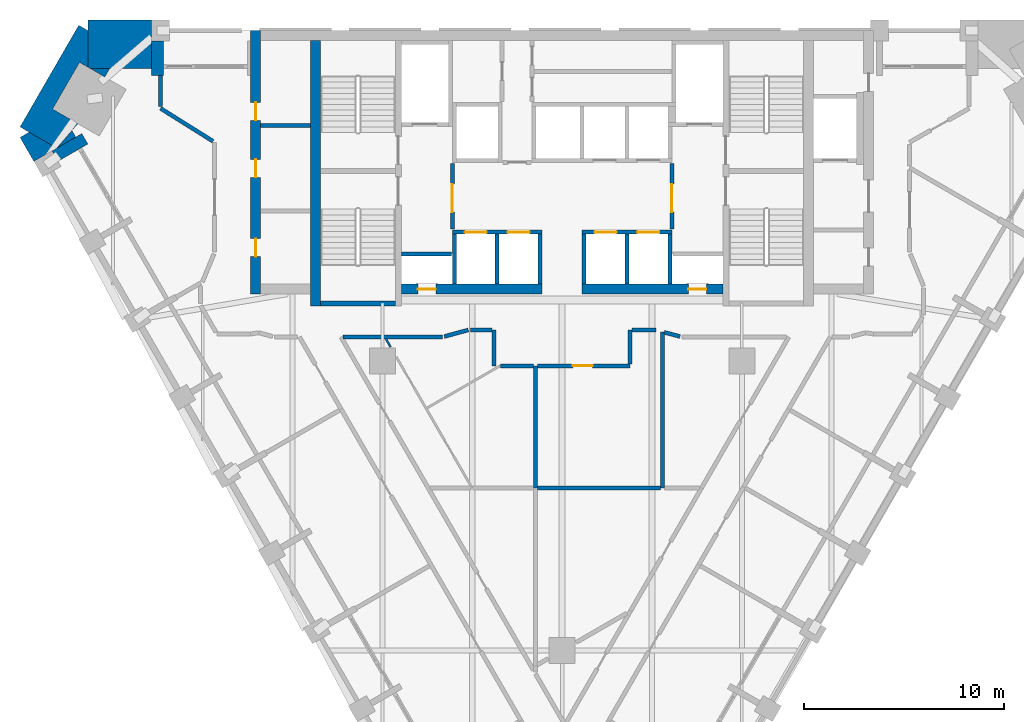
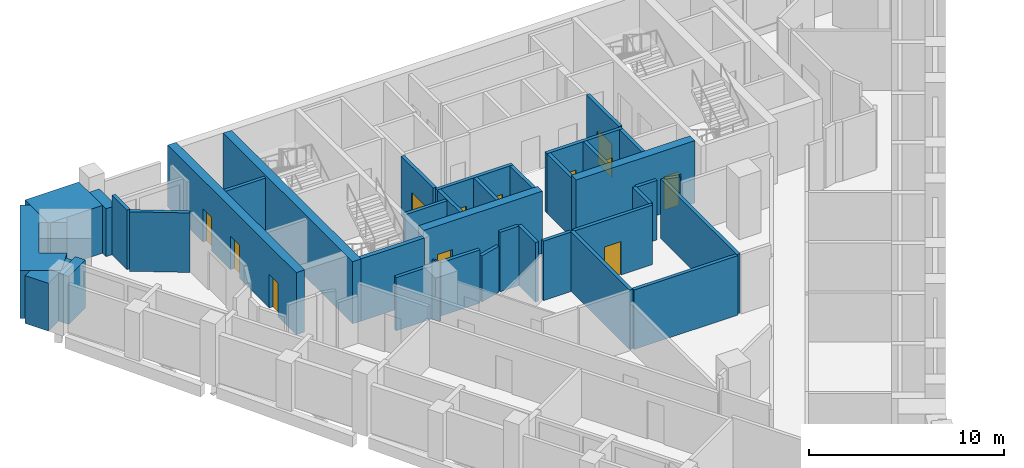
# One storey, part 5 of 10: 39 walls, 12 doors, 12 openings.
"""IFC4 building model written with IfcOpenShell, lengths in metres."""

from ifc_helpers import new_model, si_unit, direction, frame, frame_2d, origin, place, context, subcontext, project, spatial, polyline, rectangle, outline, extrude, material, layer, layer_set, type_object, element, fill, save


model = new_model("IFC4")

# Units and contexts
model_context = context("Model", 3, precision=1e-05, world=origin(), true_north=direction((0.0, 1.0)))
body_context = subcontext(model_context, "Body", "Model", "MODEL_VIEW")
ifc_project = project(units=[si_unit("LENGTHUNIT", "METRE"), si_unit("AREAUNIT", "SQUARE_METRE"), si_unit("VOLUMEUNIT", "CUBIC_METRE"), si_unit("PLANEANGLEUNIT", "RADIAN"), si_unit("MASSUNIT", "GRAM", prefix="KILO")], contexts=[model_context])

# Site, building, storey
site_placement = place(None, origin())
site = spatial("IfcSite", under=ifc_project, at=site_placement, CompositionType="ELEMENT")
building_placement = place(site_placement, origin())
building = spatial("IfcBuilding", under=site, at=building_placement, Name="Calabash Gate Tower", CompositionType="ELEMENT")
storey_placement = place(building_placement, frame((0.0, 0.0, 164.10009765625)))
storey = spatial("IfcBuildingStorey", under=building, at=storey_placement, Name="L38", CompositionType="ELEMENT", Elevation=164.10009765625)

# Walls
ifc_material_1 = material(Name="Terracotta brick masonry, exposed face", Category="masonry")
ifc_layer_1 = layer(ifc_material_1, 2.425048828125)
ifc_layer_set_1 = layer_set([ifc_layer_1], Name="Brick corner mass wall 2425")
wall_type_1 = type_object("IfcWallType", Name="Brick corner mass wall 2425", PredefinedType="SOLIDWALL", material=ifc_layer_set_1)
wall_1_placement = place(storey_placement, origin())
element("IfcWall", 1, at=wall_1_placement, inside=storey, type_object=wall_type_1, Name="Brick corner pier S10 4a", PredefinedType="SOLIDWALL", context=body_context, shape_type="SweptSolid", body=[
    extrude(outline(polyline([(-23.645751953125, 17.152587890625), (-20.5625, 17.152587890625), (-20.5625, 18.528076171875), (-20.56298828125, 18.528076171875), (-20.56298828125, 19.57763671875), (-23.755615234375, 19.57763671875), (-23.755615234375, 17.216064453125), (-23.645751953125, 17.152587890625)])), origin(), (0.0, 0.0, 1.0), 3.0),
])
wall_2_placement = place(storey_placement, origin())
element("IfcWall", 2, at=wall_2_placement, inside=storey, type_object=wall_type_1, Name="Brick corner pier S10 4ba", PredefinedType="SOLIDWALL", context=body_context, shape_type="SweptSolid", body=[
    extrude(outline(polyline([(-24.25537109375, 14.386962890625), (-25.51806640625, 15.115966796875), (-24.168212890625, 17.4541015625), (-23.755615234375, 17.216064453125), (-23.755615234375, 19.052490234375), (-24.210205078125, 19.31494140625), (-27.150634765625, 14.221923828125), (-25.3125, 13.16064453125), (-24.25537109375, 14.386962890625)])), origin(), (0.0, 0.0, 1.0), 3.0),
])
wall_3_placement = place(storey_placement, origin())
element("IfcWall", 3, at=wall_3_placement, inside=storey, type_object=wall_type_1, Name="Brick corner pier S10 4bb", PredefinedType="SOLIDWALL", context=body_context, shape_type="SweptSolid", body=[
    extrude(outline(polyline([(-22.65869140625, 17.152587890625), (-23.645751953125, 17.152587890625), (-22.905517578125, 16.72509765625), (-22.65869140625, 17.152587890625)])), origin(), (0.0, 0.0, 1.0), 3.0),
])
wall_4_placement = place(storey_placement, origin())
element("IfcWall", 4, at=wall_4_placement, inside=storey, type_object=wall_type_1, Name="Brick corner pier S10 4ca", PredefinedType="SOLIDWALL", context=body_context, shape_type="SweptSolid", body=[
    extrude(outline(polyline([(-26.696044921875, 13.95947265625), (-27.150634765625, 13.697021484375), (-26.458984375, 12.498779296875), (-25.3125, 13.16064453125), (-26.696044921875, 13.95947265625)])), origin(), (0.0, 0.0, 1.0), 3.0),
])
wall_5_placement = place(storey_placement, origin())
element("IfcWall", 5, at=wall_5_placement, inside=storey, type_object=wall_type_1, Name="Brick corner pier S10 4cb", PredefinedType="SOLIDWALL", context=body_context, shape_type="SweptSolid", body=[
    extrude(outline(polyline([(-24.551025390625, 14.0439453125), (-25.305908203125, 13.168212890625), (-25.303955078125, 13.165771484375), (-24.35888671875, 13.71142578125), (-24.551025390625, 14.0439453125)])), origin(), (0.0, 0.0, 1.0), 3.0),
])
ifc_material_2 = material(Name="Terracotta brick masonry, exposed face", Category="masonry")
ifc_layer_2 = layer(ifc_material_2, 0.300048828125)
ifc_layer_set_2 = layer_set([ifc_layer_2], Name="Brick loggia cheek wall 300")
wall_type_2 = type_object("IfcWallType", Name="Brick loggia cheek wall 300", PredefinedType="SOLIDWALL", material=ifc_layer_set_2)
wall_6_placement = place(storey_placement, frame((-25.399169921875, 12.76416015625, 0.0), z_axis=(0.0, 0.0, 1.0), x_axis=(0.866004044806, 0.500036993012, 0.0)))
element("IfcWall", 6, at=wall_6_placement, inside=storey, type_object=wall_type_2, Name="Loggia cheek S10 SW0.0", PredefinedType="SOLIDWALL", context=body_context, shape_type="SweptSolid", body=[
    extrude(rectangle(XDim=1.724365234375, YDim=0.60009765625, at=frame_2d((0.8623046875, 0.0))), origin(), (0.0, 0.0, 1.0), 3.0),
])
wall_7_placement = place(storey_placement, origin())
element("IfcWall", 7, at=wall_7_placement, inside=storey, type_object=wall_type_2, Name="Loggia cheek S10 N6.9", PredefinedType="SOLIDWALL", context=body_context, shape_type="SweptSolid", body=[
    extrude(outline(polyline([(-20.5625, 18.527587890625), (-20.5625, 16.802490234375), (-19.962646484375, 16.802490234375), (-19.962646484375, 18.527587890625), (-20.5625, 18.527587890625)])), origin(), (0.0, 0.0, 1.0), 3.0),
])
ifc_material_3 = material(Name="Gypsum board on steel studs, mineral wool", Category="steel")
ifc_layer_3 = layer(ifc_material_3, 0.199951171875)
ifc_layer_set_3 = layer_set([ifc_layer_3], Name="Core partition 200 gypsum board")
wall_type_3 = type_object("IfcWallType", Name="Core partition 200 gypsum board", PredefinedType="PARTITIONING", material=ifc_layer_set_3)
wall_8_placement = place(storey_placement, frame((-15.10009765625, 14.28271484375, 0.0), z_axis=(0.0, 0.0, 1.0), x_axis=(1.0, 0.0, 0.0)))
element("IfcWall", 8, at=wall_8_placement, inside=storey, type_object=wall_type_3, Name="Core partition", PredefinedType="PARTITIONING", context=body_context, shape_type="SweptSolid", body=[
    extrude(rectangle(XDim=2.5, YDim=0.199951171875, at=frame_2d((1.25, 0.0))), origin(), (0.0, 0.0, 1.0), 3.72998046875),
])
ifc_material_4 = material(Name="Concrete C70/85", Category="concrete")
ifc_layer_4 = layer(ifc_material_4, 0.25)
ifc_layer_set_4 = layer_set([ifc_layer_4], Name="Core wall 250 Concrete C70/85")
wall_type_4 = type_object("IfcWallType", Name="Core wall 250 Concrete C70/85", PredefinedType="SHEAR", material=ifc_layer_set_4)
wall_9_placement = place(storey_placement, frame((-12.10009765625, 5.377685546875, 0.0), z_axis=(0.0, 0.0, 1.0), x_axis=(1.0, 0.0, 0.0)))
element("IfcWall", 9, at=wall_9_placement, inside=storey, type_object=wall_type_4, Name="Core wall Z3-SSW L38", PredefinedType="SHEAR", context=body_context, shape_type="SweptSolid", body=[
    extrude(rectangle(XDim=3.75, YDim=0.25, at=frame_2d((1.875, 0.0))), origin(), (0.0, 0.0, 1.0), 3.89990234375),
])
ifc_material_5 = material(Name="Concrete C70/85", Category="concrete")
ifc_layer_5 = layer(ifc_material_5, 0.5)
ifc_layer_set_5 = layer_set([ifc_layer_5], Name="Core wall 500 Concrete C70/85")
wall_type_5 = type_object("IfcWallType", Name="Core wall 500 Concrete C70/85", PredefinedType="SHEAR", material=ifc_layer_set_5)
wall_10_placement = place(storey_placement, frame((-12.35009765625, 5.252685546875, 0.0), z_axis=(0.0, 0.0, 1.0), x_axis=(0.0, 1.0, 0.0)))
element("IfcWall", 10, at=wall_10_placement, inside=storey, type_object=wall_type_5, Name="Core wall Z3-COLW L38", PredefinedType="SHEAR", context=body_context, shape_type="SweptSolid", body=[
    extrude(rectangle(XDim=13.2998046875, YDim=0.5, at=frame_2d((6.64990234375, 0.0))), origin(), (0.0, 0.0, 1.0), 3.89990234375),
])

# Wall, opening, door
wall_11_placement = place(storey_placement, frame((-8.050048828125, 6.1025390625, 0.0), z_axis=(0.0, 0.0, 1.0), x_axis=(1.0, 0.0, 0.0)))
wall_11 = element("IfcWall", 11, at=wall_11_placement, inside=storey, type_object=wall_type_5, Name="Core wall Z3-SA L38", PredefinedType="SHEAR", context=body_context, shape_type="SweptSolid", body=[
    extrude(rectangle(XDim=7.050048828125, YDim=0.5, at=frame_2d((3.52490234375, 0.0))), origin(), (0.0, 0.0, 1.0), 3.89990234375),
])
opening_1_placement = place(wall_11_placement, frame((0.824951171875, 0.0, 0.0)))
opening_1 = element("IfcOpeningElement", 12, at=opening_1_placement, cuts=wall_11, Name="Opening O2-014", PredefinedType="OPENING", context=body_context, shape_type="SweptSolid", body=[
    extrude(rectangle(XDim=0.89990234375, YDim=2.10009765625, at=frame_2d((0.449951171875, 1.050048828125))), frame((0.0, 0.260009765625, 0.0), z_axis=(0.0, -1.0, 0.0), x_axis=(1.0, 0.0, 0.0)), (0.0, 0.0, 1.0), 0.52001953125),
])
ifc_material_6 = material(Name="Steel fire door set with fire-resisting glazing", Category="steel")
door_type_1 = type_object("IfcDoorType", Name="Fire door D07 900x2100 FD90", OperationType="NOTDEFINED", PredefinedType="DOOR", material=ifc_material_6)
door_1_placement = place(opening_1_placement, origin())
door_1 = element("IfcDoor", 13, at=door_1_placement, inside=storey, type_object=door_type_1, Name="Electrical Riser W door", OperationType="SINGLE_SWING_LEFT", OverallHeight=2.10009765625, OverallWidth=0.89990234375, PredefinedType="DOOR", context=body_context, shape_type="SweptSolid", body=[
    extrude(rectangle(XDim=0.89990234375, YDim=2.10009765625, at=frame_2d((0.449951171875, 1.050048828125))), frame((0.0, 0.02490234375, 0.0), z_axis=(0.0, -1.0, 0.0), x_axis=(1.0, 0.0, 0.0)), (0.0, 0.0, 1.0), 0.050048828125),
])
fill(opening_1, door_1)

wall_12_placement = place(storey_placement, frame((1.0, 6.1025390625, 0.0), z_axis=(0.0, 0.0, 1.0), x_axis=(1.0, 0.0, 0.0)))
wall_12 = element("IfcWall", 14, at=wall_12_placement, inside=storey, type_object=wall_type_5, Name="Core wall Z3-SB L38", PredefinedType="SHEAR", context=body_context, shape_type="SweptSolid", body=[
    extrude(rectangle(XDim=7.050048828125, YDim=0.5, at=frame_2d((3.52490234375, 0.0))), origin(), (0.0, 0.0, 1.0), 3.89990234375),
])
opening_2_placement = place(wall_12_placement, frame((5.324951171875, 0.0, 0.0)))
opening_2 = element("IfcOpeningElement", 15, at=opening_2_placement, cuts=wall_12, Name="Opening O2-013", PredefinedType="OPENING", context=body_context, shape_type="SweptSolid", body=[
    extrude(rectangle(XDim=0.89990234375, YDim=2.10009765625, at=frame_2d((0.449951171875, 1.050048828125))), frame((0.0, 0.260009765625, 0.0), z_axis=(0.0, -1.0, 0.0), x_axis=(1.0, 0.0, 0.0)), (0.0, 0.0, 1.0), 0.52001953125),
])
door_2_placement = place(opening_2_placement, origin())
door_2 = element("IfcDoor", 16, at=door_2_placement, inside=storey, type_object=door_type_1, Name="Mechanical Riser E door", OperationType="SINGLE_SWING_RIGHT", OverallHeight=2.10009765625, OverallWidth=0.89990234375, PredefinedType="DOOR", context=body_context, shape_type="SweptSolid", body=[
    extrude(rectangle(XDim=0.89990234375, YDim=2.10009765625, at=frame_2d((0.449951171875, 1.050048828125))), frame((0.0, 0.02490234375, 0.0), z_axis=(0.0, -1.0, 0.0), x_axis=(1.0, 0.0, 0.0)), (0.0, 0.0, 1.0), 0.050048828125),
])
fill(opening_2, door_2)

# Wall, openings, doors
wall_13_placement = place(storey_placement, frame((-15.35009765625, 5.8525390625, 0.0), z_axis=(0.0, 0.0, 1.0), x_axis=(0.0, 1.0, 0.0)))
wall_13 = element("IfcWall", 17, at=wall_13_placement, inside=storey, type_object=wall_type_5, Name="Core wall Z3-ENDW L38", PredefinedType="SHEAR", context=body_context, shape_type="SweptSolid", body=[
    extrude(rectangle(XDim=13.199951171875, YDim=0.5, at=frame_2d((6.60009765625, 0.0))), origin(), (0.0, 0.0, 1.0), 3.89990234375),
])
opening_3_placement = place(wall_13_placement, frame((1.8798828125, 0.0, 0.0)))
opening_3 = element("IfcOpeningElement", 18, at=opening_3_placement, cuts=wall_13, Name="Opening O2-004", PredefinedType="OPENING", context=body_context, shape_type="SweptSolid", body=[
    extrude(rectangle(XDim=0.89990234375, YDim=2.10009765625, at=frame_2d((0.449951171875, 1.050048828125))), frame((0.0, 0.260009765625, 0.0), z_axis=(0.0, -1.0, 0.0), x_axis=(1.0, 0.0, 0.0)), (0.0, 0.0, 1.0), 0.52001953125),
])
opening_4_placement = place(wall_13_placement, frame((5.844970703125, 0.0, 0.0)))
opening_4 = element("IfcOpeningElement", 19, at=opening_4_placement, cuts=wall_13, Name="Opening O2-005", PredefinedType="OPENING", context=body_context, shape_type="SweptSolid", body=[
    extrude(rectangle(XDim=0.89990234375, YDim=2.10009765625, at=frame_2d((0.449951171875, 1.050048828125))), frame((0.0, 0.260009765625, 0.0), z_axis=(0.0, -1.0, 0.0), x_axis=(1.0, 0.0, 0.0)), (0.0, 0.0, 1.0), 0.52001953125),
])
opening_5_placement = place(wall_13_placement, frame((8.697509765625, 0.0, 0.0)))
opening_5 = element("IfcOpeningElement", 20, at=opening_5_placement, cuts=wall_13, Name="Opening O2-006", PredefinedType="OPENING", context=body_context, shape_type="SweptSolid", body=[
    extrude(rectangle(XDim=0.89990234375, YDim=2.10009765625, at=frame_2d((0.449951171875, 1.050048828125))), frame((0.0, 0.260009765625, 0.0), z_axis=(0.0, -1.0, 0.0), x_axis=(1.0, 0.0, 0.0)), (0.0, 0.0, 1.0), 0.52001953125),
])
ifc_material_7 = material(Name="Steel fire door set with fire-resisting glazing", Category="steel")
door_type_2 = type_object("IfcDoorType", Name="Fire door D06 900x2100 FD60", OperationType="NOTDEFINED", PredefinedType="DOOR", material=ifc_material_7)
door_3_placement = place(opening_3_placement, origin())
door_3 = element("IfcDoor", 21, at=door_3_placement, inside=storey, type_object=door_type_2, Name="Tenant Pantry door", OperationType="SINGLE_SWING_LEFT", OverallHeight=2.10009765625, OverallWidth=0.89990234375, PredefinedType="DOOR", context=body_context, shape_type="SweptSolid", body=[
    extrude(rectangle(XDim=0.89990234375, YDim=2.10009765625, at=frame_2d((0.449951171875, 1.050048828125))), frame((0.0, 0.02490234375, 0.0), z_axis=(0.0, -1.0, 0.0), x_axis=(1.0, 0.0, 0.0)), (0.0, 0.0, 1.0), 0.050048828125),
])
fill(opening_3, door_3)
door_4_placement = place(opening_4_placement, origin())
door_4 = element("IfcDoor", 22, at=door_4_placement, inside=storey, type_object=door_type_2, Name="Comms Room door", OperationType="SINGLE_SWING_LEFT", OverallHeight=2.10009765625, OverallWidth=0.89990234375, PredefinedType="DOOR", context=body_context, shape_type="SweptSolid", body=[
    extrude(rectangle(XDim=0.89990234375, YDim=2.10009765625, at=frame_2d((0.449951171875, 1.050048828125))), frame((0.0, 0.02490234375, 0.0), z_axis=(0.0, -1.0, 0.0), x_axis=(1.0, 0.0, 0.0)), (0.0, 0.0, 1.0), 0.050048828125),
])
fill(opening_4, door_4)
door_5_placement = place(opening_5_placement, origin())
door_5 = element("IfcDoor", 23, at=door_5_placement, inside=storey, type_object=door_type_2, Name="Cleaner's Store door", OperationType="SINGLE_SWING_LEFT", OverallHeight=2.10009765625, OverallWidth=0.89990234375, PredefinedType="DOOR", context=body_context, shape_type="SweptSolid", body=[
    extrude(rectangle(XDim=0.89990234375, YDim=2.10009765625, at=frame_2d((0.449951171875, 1.050048828125))), frame((0.0, 0.02490234375, 0.0), z_axis=(0.0, -1.0, 0.0), x_axis=(1.0, 0.0, 0.0)), (0.0, 0.0, 1.0), 0.050048828125),
])
fill(opening_5, door_5)

# Walls
ifc_material_8 = material(Name="Gypsum board on steel studs, mineral wool", Category="steel")
ifc_layer_6 = layer(ifc_material_8, 0.10009765625)
ifc_layer_set_6 = layer_set([ifc_layer_6], Name="Partition 100 gypsum board")
wall_type_6 = type_object("IfcWallType", Name="Partition 100 gypsum board", PredefinedType="PARTITIONING", material=ifc_layer_set_6)
wall_14_placement = place(storey_placement, frame((-8.8271484375, 3.613037109375, 0.0), z_axis=(0.0, 0.0, 1.0), x_axis=(0.497353240991, -0.867548127585, 0.0)))
element("IfcWall", 24, at=wall_14_placement, inside=storey, type_object=wall_type_6, Name="Partition", PredefinedType="PARTITIONING", context=body_context, shape_type="SweptSolid", body=[
    extrude(rectangle(XDim=0.47607421875, YDim=0.10009765625, at=frame_2d((0.238037109375, 0.0))), origin(), (0.0, 0.0, 1.0), 3.72998046875),
])
ifc_material_9 = material(Name="Gypsum board on steel studs, mineral wool", Category="steel")
ifc_layer_7 = layer(ifc_material_9, 0.199951171875)
ifc_layer_set_7 = layer_set([ifc_layer_7], Name="Partition 200 gypsum board EI 60")
wall_type_7 = type_object("IfcWallType", Name="Partition 200 gypsum board EI 60", PredefinedType="PARTITIONING", material=ifc_layer_set_7)
wall_15_placement = place(storey_placement, frame((-1.231689453125, -3.857421875, 0.0), z_axis=(0.0, 0.0, 1.0), x_axis=(0.999999961423, 0.000277766745, 0.0)))
element("IfcWall", 25, at=wall_15_placement, inside=storey, type_object=wall_type_7, Name="Partition", PredefinedType="PARTITIONING", context=body_context, shape_type="SweptSolid", body=[
    extrude(rectangle(XDim=6.152587890625, YDim=0.199951171875, at=frame_2d((3.076171875, 0.0))), origin(), (0.0, 0.0, 1.0), 3.72998046875),
])
wall_16_placement = place(storey_placement, frame((-1.33544921875, -3.853759765625, 0.0), z_axis=(0.0, 0.0, 1.0), x_axis=(0.0, 1.0, 0.0)))
element("IfcWall", 26, at=wall_16_placement, inside=storey, type_object=wall_type_7, Name="Partition", PredefinedType="PARTITIONING", context=body_context, shape_type="SweptSolid", body=[
    extrude(rectangle(XDim=6.104248046875, YDim=0.199951171875, at=frame_2d((3.05224609375, 0.0))), origin(), (0.0, 0.0, 1.0), 3.72998046875),
])
wall_17_placement = place(storey_placement, frame((-3.402099609375, 4.050537109375, 0.0), z_axis=(0.0, 0.0, 1.0), x_axis=(0.001086217961, -0.999999410065, 0.0)))
element("IfcWall", 27, at=wall_17_placement, inside=storey, type_object=wall_type_7, Name="Partition", PredefinedType="PARTITIONING", context=body_context, shape_type="SweptSolid", body=[
    extrude(rectangle(XDim=1.798095703125, YDim=0.199951171875, at=frame_2d((0.89892578125, 0.0))), origin(), (0.0, 0.0, 1.0), 3.72998046875),
])
wall_18_placement = place(storey_placement, frame((-3.07421875, 2.25048828125, 0.0), z_axis=(0.0, 0.0, 1.0), x_axis=(1.0, 0.0, 0.0)))
element("IfcWall", 28, at=wall_18_placement, inside=storey, type_object=wall_type_7, Name="Partition", PredefinedType="PARTITIONING", context=body_context, shape_type="SweptSolid", body=[
    extrude(rectangle(XDim=1.638916015625, YDim=0.199951171875, at=frame_2d((0.8193359375, 0.0))), origin(), (0.0, 0.0, 1.0), 3.72998046875),
])

# Wall, opening, door
wall_19_placement = place(storey_placement, frame((-1.2333984375, 2.25048828125, 0.0), z_axis=(0.0, 0.0, 1.0), x_axis=(0.999999911161, 0.000421518483, 0.0)))
wall_19 = element("IfcWall", 29, at=wall_19_placement, inside=storey, type_object=wall_type_7, Name="Partition", PredefinedType="PARTITIONING", context=body_context, shape_type="SweptSolid", body=[
    extrude(rectangle(XDim=4.633544921875, YDim=0.199951171875, at=frame_2d((2.31689453125, 0.0))), origin(), (0.0, 0.0, 1.0), 3.72998046875),
])
opening_6_placement = place(wall_19_placement, frame((1.765625, 0.0, 0.0)))
opening_6 = element("IfcOpeningElement", 30, at=opening_6_placement, cuts=wall_19, Name="Opening 36-38-006", PredefinedType="OPENING", context=body_context, shape_type="SweptSolid", body=[
    extrude(rectangle(XDim=1.0, YDim=2.10009765625, at=frame_2d((0.5, 1.050048828125))), frame((0.0, 0.10986328125, 0.0), z_axis=(0.0, -1.0, 0.0), x_axis=(1.0, 0.0, 0.0)), (0.0, 0.0, 1.0), 0.219970703125),
])
ifc_material_10 = material(Name="Steel fire door set with fire-resisting glazing", Category="steel")
door_type_3 = type_object("IfcDoorType", Name="LD2 Meeting room door 1000x2100", OperationType="NOTDEFINED", PredefinedType="DOOR", material=ifc_material_10)
door_6_placement = place(opening_6_placement, origin())
door_6 = element("IfcDoor", 31, at=door_6_placement, inside=storey, type_object=door_type_3, Name="Meeting room door", OperationType="SINGLE_SWING_LEFT", OverallHeight=2.10009765625, OverallWidth=1.0, PredefinedType="DOOR", context=body_context, shape_type="SweptSolid", body=[
    extrude(rectangle(XDim=1.0, YDim=2.10009765625, at=frame_2d((0.5, 1.050048828125))), frame((0.0, 0.02490234375, 0.0), z_axis=(0.0, -1.0, 0.0), x_axis=(1.0, 0.0, 0.0)), (0.0, 0.0, 1.0), 0.050048828125),
])
fill(opening_6, door_6)

# Walls
wall_20_placement = place(storey_placement, frame((-10.972900390625, 3.69970703125, 0.0), z_axis=(0.0, 0.0, 1.0), x_axis=(1.0, 0.0, 0.0)))
element("IfcWall", 32, at=wall_20_placement, inside=storey, type_object=wall_type_7, Name="Partition", PredefinedType="PARTITIONING", context=body_context, shape_type="SweptSolid", body=[
    extrude(rectangle(XDim=4.972900390625, YDim=0.199951171875, at=frame_2d((2.486328125, 0.0))), origin(), (0.0, 0.0, 1.0), 3.33154296875),
])
wall_21_placement = place(storey_placement, frame((5.118408203125, 3.937255859375, 0.0), z_axis=(0.0, 0.0, 1.0), x_axis=(0.965583853378, -0.260091949308, 0.0)))
element("IfcWall", 33, at=wall_21_placement, inside=storey, type_object=wall_type_7, Name="Partition", PredefinedType="PARTITIONING", context=body_context, shape_type="SweptSolid", body=[
    extrude(rectangle(XDim=0.81298828125, YDim=0.199951171875, at=frame_2d((0.406494140625, 0.0))), origin(), (0.0, 0.0, 1.0), 3.72998046875),
])
wall_22_placement = place(storey_placement, frame((5.02197265625, -3.85546875, 0.0), z_axis=(0.0, 0.0, 1.0), x_axis=(0.000218538286, 0.999999976121, 0.0)))
element("IfcWall", 34, at=wall_22_placement, inside=storey, type_object=wall_type_7, Name="Partition", PredefinedType="PARTITIONING", context=body_context, shape_type="SweptSolid", body=[
    extrude(rectangle(XDim=7.820068359375, YDim=0.199951171875, at=frame_2d((3.91015625, 0.0))), origin(), (0.0, 0.0, 1.0), 3.72998046875),
])
wall_23_placement = place(storey_placement, frame((-5.903564453125, 3.72607421875, 0.0), z_axis=(0.0, 0.0, 1.0), x_axis=(0.965137813174, 0.26174224264, 0.0)))
element("IfcWall", 35, at=wall_23_placement, inside=storey, type_object=wall_type_7, Name="Partition", PredefinedType="PARTITIONING", context=body_context, shape_type="SweptSolid", body=[
    extrude(rectangle(XDim=1.2470703125, YDim=0.199951171875, at=frame_2d((0.62353515625, 0.0))), origin(), (0.0, 0.0, 1.0), 2.884033203125),
])
wall_24_placement = place(storey_placement, frame((-4.60009765625, 4.05224609375, 0.0), z_axis=(0.0, 0.0, 1.0), x_axis=(0.999999110322, -0.001333925003, 0.0)))
element("IfcWall", 36, at=wall_24_placement, inside=storey, type_object=wall_type_7, Name="Partition", PredefinedType="PARTITIONING", context=body_context, shape_type="SweptSolid", body=[
    extrude(rectangle(XDim=1.09814453125, YDim=0.199951171875, at=frame_2d((0.549072265625, 0.0))), origin(), (0.0, 0.0, 1.0), 3.72998046875),
])
wall_25_placement = place(storey_placement, frame((3.400146484375, 2.352294921875, 0.0), z_axis=(0.0, 0.0, 1.0), x_axis=(0.001150085496, 0.999999338651, 0.0)))
element("IfcWall", 37, at=wall_25_placement, inside=storey, type_object=wall_type_7, Name="Partition", PredefinedType="PARTITIONING", context=body_context, shape_type="SweptSolid", body=[
    extrude(rectangle(XDim=1.6982421875, YDim=0.199951171875, at=frame_2d((0.84912109375, 0.0))), origin(), (0.0, 0.0, 1.0), 3.72998046875),
])
wall_26_placement = place(storey_placement, frame((3.501953125, 4.05078125, 0.0), z_axis=(0.0, 0.0, 1.0), x_axis=(0.999998982503, 0.001426532072, 0.0)))
element("IfcWall", 38, at=wall_26_placement, inside=storey, type_object=wall_type_7, Name="Partition", PredefinedType="PARTITIONING", context=body_context, shape_type="SweptSolid", body=[
    extrude(rectangle(XDim=1.197998046875, YDim=0.199951171875, at=frame_2d((0.59912109375, 0.0))), origin(), (0.0, 0.0, 1.0), 3.72998046875),
])
wall_27_placement = place(storey_placement, frame((-20.11279296875, 15.152099609375, 0.0), z_axis=(0.0, 0.0, 1.0), x_axis=(0.847356354359, -0.531024678078, 0.0)))
element("IfcWall", 39, at=wall_27_placement, inside=storey, type_object=wall_type_7, Name="Partition", PredefinedType="PARTITIONING", context=body_context, shape_type="SweptSolid", body=[
    extrude(rectangle(XDim=3.10107421875, YDim=0.199951171875, at=frame_2d((1.550537109375, 0.0))), origin(), (0.0, 0.0, 1.0), 3.72998046875),
])
wall_28_placement = place(storey_placement, frame((-20.113037109375, 16.802490234375, 0.0), z_axis=(0.0, 0.0, 1.0), x_axis=(0.000157480313, -0.9999999876, 0.0)))
element("IfcWall", 40, at=wall_28_placement, inside=storey, type_object=wall_type_7, Name="Partition", PredefinedType="PARTITIONING", context=body_context, shape_type="SweptSolid", body=[
    extrude(rectangle(XDim=1.55029296875, YDim=0.199951171875, at=frame_2d((0.775146484375, 0.0))), origin(), (0.0, 0.0, 1.0), 3.72998046875),
])
ifc_material_11 = material(Name="Concrete C40/50", Category="concrete")
ifc_layer_8 = layer(ifc_material_11, 0.199951171875)
ifc_layer_set_8 = layer_set([ifc_layer_8], Name="Shaft wall 200 Concrete C40/50")
wall_type_8 = type_object("IfcWallType", Name="Shaft wall 200 Concrete C40/50", PredefinedType="SOLIDWALL", material=ifc_layer_set_8)
for number, where, z_axis, x_axis, name in (
    (41, (-5.39990234375, 6.3525390625, 0.0), (0.0, 0.0, 1.0), (0.0, 1.0, 0.0), "Shaft wall"),
    (42, (-3.25, 6.3525390625, 0.0), (0.0, 0.0, 1.0), (0.0, 1.0, 0.0), "Shaft wall"),
    (43, (-1.10009765625, 6.3525390625, 0.0), (0.0, 0.0, 1.0), (0.0, 1.0, 0.0), "Shaft wall"),
    (44, (1.10009765625, 6.3525390625, 0.0), (0.0, 0.0, 1.0), (0.0, 1.0, 0.0), "Shaft wall"),
    (45, (3.25, 6.3525390625, 0.0), (0.0, 0.0, 1.0), (0.0, 1.0, 0.0), "Shaft wall"),
    (46, (5.39990234375, 6.3525390625, 0.0), (0.0, 0.0, 1.0), (0.0, 1.0, 0.0), "Shaft wall"),
    (47, (-8.050048828125, 7.8525390625, 0.0), (0.0, 0.0, 1.0), (1.0, 0.0, 0.0), "Shaft wall"),
):
    element("IfcWall", number, at=place(storey_placement, frame(where, z_axis=z_axis, x_axis=x_axis)), inside=storey, type_object=wall_type_8, Name=name, PredefinedType="SOLIDWALL", context=body_context, shape_type="SweptSolid", body=[
        extrude(rectangle(XDim=2.5, YDim=0.199951171875, at=frame_2d((1.25, 0.0))), origin(), (0.0, 0.0, 1.0), 3.72998046875),
    ])

# Wall, openings, doors
wall_29_placement = place(storey_placement, frame((-5.5, 8.95263671875, 0.0), z_axis=(0.0, 0.0, 1.0), x_axis=(1.0, 0.0, 0.0)))
wall_29 = element("IfcWall", 48, at=wall_29_placement, inside=storey, type_object=wall_type_8, Name="Shaft wall", PredefinedType="SOLIDWALL", context=body_context, shape_type="SweptSolid", body=[
    extrude(rectangle(XDim=4.5, YDim=0.199951171875, at=frame_2d((2.25, 0.0))), origin(), (0.0, 0.0, 1.0), 3.72998046875),
])
opening_7_placement = place(wall_29_placement, frame((0.625, 0.0, 0.0)))
opening_7 = element("IfcOpeningElement", 49, at=opening_7_placement, cuts=wall_29, Name="Opening LD-HR1", PredefinedType="OPENING", context=body_context, shape_type="SweptSolid", body=[
    extrude(rectangle(XDim=1.10009765625, YDim=2.10009765625, at=frame_2d((0.550048828125, 1.050048828125))), frame((0.0, 0.10986328125, 0.0), z_axis=(0.0, -1.0, 0.0), x_axis=(1.0, 0.0, 0.0)), (0.0, 0.0, 1.0), 0.219970703125),
])
opening_8_placement = place(wall_29_placement, frame((2.77490234375, 0.0, 0.0)))
opening_8 = element("IfcOpeningElement", 50, at=opening_8_placement, cuts=wall_29, Name="Opening LD-HR2", PredefinedType="OPENING", context=body_context, shape_type="SweptSolid", body=[
    extrude(rectangle(XDim=1.10009765625, YDim=2.10009765625, at=frame_2d((0.550048828125, 1.050048828125))), frame((0.0, 0.10986328125, 0.0), z_axis=(0.0, -1.0, 0.0), x_axis=(1.0, 0.0, 0.0)), (0.0, 0.0, 1.0), 0.219970703125),
])
ifc_material_12 = material(Name="Stainless steel sliding door leaves", Category="steel")
door_type_4 = type_object("IfcDoorType", Name="Lift landing door LS1 1100x2100 FD90", OperationType="DOUBLE_DOOR_SLIDING", PredefinedType="DOOR", material=ifc_material_12)
door_7_placement = place(opening_7_placement, origin())
door_7 = element("IfcDoor", 51, at=door_7_placement, inside=storey, type_object=door_type_4, Name="Lift landing door HR1", OperationType="DOUBLE_DOOR_SLIDING", OverallHeight=2.10009765625, OverallWidth=1.10009765625, PredefinedType="DOOR", context=body_context, shape_type="SweptSolid", body=[
    extrude(rectangle(XDim=1.10009765625, YDim=2.10009765625, at=frame_2d((0.550048828125, 1.050048828125))), frame((0.0, 0.02490234375, 0.0), z_axis=(0.0, -1.0, 0.0), x_axis=(1.0, 0.0, 0.0)), (0.0, 0.0, 1.0), 0.050048828125),
])
fill(opening_7, door_7)
door_8_placement = place(opening_8_placement, origin())
door_8 = element("IfcDoor", 52, at=door_8_placement, inside=storey, type_object=door_type_4, Name="Lift landing door HR2", OperationType="DOUBLE_DOOR_SLIDING", OverallHeight=2.10009765625, OverallWidth=1.10009765625, PredefinedType="DOOR", context=body_context, shape_type="SweptSolid", body=[
    extrude(rectangle(XDim=1.10009765625, YDim=2.10009765625, at=frame_2d((0.550048828125, 1.050048828125))), frame((0.0, 0.02490234375, 0.0), z_axis=(0.0, -1.0, 0.0), x_axis=(1.0, 0.0, 0.0)), (0.0, 0.0, 1.0), 0.050048828125),
])
fill(opening_8, door_8)

wall_30_placement = place(storey_placement, frame((1.0, 8.95263671875, 0.0), z_axis=(0.0, 0.0, 1.0), x_axis=(1.0, 0.0, 0.0)))
wall_30 = element("IfcWall", 53, at=wall_30_placement, inside=storey, type_object=wall_type_8, Name="Shaft wall", PredefinedType="SOLIDWALL", context=body_context, shape_type="SweptSolid", body=[
    extrude(rectangle(XDim=4.5, YDim=0.199951171875, at=frame_2d((2.25, 0.0))), origin(), (0.0, 0.0, 1.0), 3.72998046875),
])
opening_9_placement = place(wall_30_placement, frame((0.625, 0.0, 0.0)))
opening_9 = element("IfcOpeningElement", 54, at=opening_9_placement, cuts=wall_30, Name="Opening LD-HR3", PredefinedType="OPENING", context=body_context, shape_type="SweptSolid", body=[
    extrude(rectangle(XDim=1.10009765625, YDim=2.10009765625, at=frame_2d((0.550048828125, 1.050048828125))), frame((0.0, 0.10986328125, 0.0), z_axis=(0.0, -1.0, 0.0), x_axis=(1.0, 0.0, 0.0)), (0.0, 0.0, 1.0), 0.219970703125),
])
opening_10_placement = place(wall_30_placement, frame((2.77490234375, 0.0, 0.0)))
opening_10 = element("IfcOpeningElement", 55, at=opening_10_placement, cuts=wall_30, Name="Opening LD-HR4", PredefinedType="OPENING", context=body_context, shape_type="SweptSolid", body=[
    extrude(rectangle(XDim=1.10009765625, YDim=2.10009765625, at=frame_2d((0.550048828125, 1.050048828125))), frame((0.0, 0.10986328125, 0.0), z_axis=(0.0, -1.0, 0.0), x_axis=(1.0, 0.0, 0.0)), (0.0, 0.0, 1.0), 0.219970703125),
])
door_9_placement = place(opening_9_placement, origin())
door_9 = element("IfcDoor", 56, at=door_9_placement, inside=storey, type_object=door_type_4, Name="Lift landing door HR3", OperationType="DOUBLE_DOOR_SLIDING", OverallHeight=2.10009765625, OverallWidth=1.10009765625, PredefinedType="DOOR", context=body_context, shape_type="SweptSolid", body=[
    extrude(rectangle(XDim=1.10009765625, YDim=2.10009765625, at=frame_2d((0.550048828125, 1.050048828125))), frame((0.0, 0.02490234375, 0.0), z_axis=(0.0, -1.0, 0.0), x_axis=(1.0, 0.0, 0.0)), (0.0, 0.0, 1.0), 0.050048828125),
])
fill(opening_9, door_9)
door_10_placement = place(opening_10_placement, origin())
door_10 = element("IfcDoor", 57, at=door_10_placement, inside=storey, type_object=door_type_4, Name="Lift landing door HR4", OperationType="DOUBLE_DOOR_SLIDING", OverallHeight=2.10009765625, OverallWidth=1.10009765625, PredefinedType="DOOR", context=body_context, shape_type="SweptSolid", body=[
    extrude(rectangle(XDim=1.10009765625, YDim=2.10009765625, at=frame_2d((0.550048828125, 1.050048828125))), frame((0.0, 0.02490234375, 0.0), z_axis=(0.0, -1.0, 0.0), x_axis=(1.0, 0.0, 0.0)), (0.0, 0.0, 1.0), 0.050048828125),
])
fill(opening_10, door_10)

# Wall, opening, door
wall_31_placement = place(storey_placement, frame((-5.5, 9.1025390625, 0.0), z_axis=(0.0, 0.0, 1.0), x_axis=(0.0, 1.0, 0.0)))
wall_31 = element("IfcWall", 58, at=wall_31_placement, inside=storey, type_object=wall_type_8, Name="Shaft wall", PredefinedType="SOLIDWALL", context=body_context, shape_type="SweptSolid", body=[
    extrude(rectangle(XDim=3.300048828125, YDim=0.199951171875, at=frame_2d((1.64990234375, 0.0))), origin(), (0.0, 0.0, 1.0), 3.72998046875),
])
opening_11_placement = place(wall_31_placement, frame((0.85009765625, 0.0, 0.0)))
opening_11 = element("IfcOpeningElement", 59, at=opening_11_placement, cuts=wall_31, Name="Opening O2-009", PredefinedType="OPENING", context=body_context, shape_type="SweptSolid", body=[
    extrude(rectangle(XDim=1.39990234375, YDim=2.10009765625, at=frame_2d((0.699951171875, 1.050048828125))), frame((0.0, 0.10986328125, 0.0), z_axis=(0.0, -1.0, 0.0), x_axis=(1.0, 0.0, 0.0)), (0.0, 0.0, 1.0), 0.219970703125),
])
ifc_material_13 = material(Name="Steel fire door set with fire-resisting glazing", Category="steel")
door_type_5 = type_object("IfcDoorType", Name="Fire door D05 1400x2100 FD90", OperationType="NOTDEFINED", PredefinedType="DOOR", material=ifc_material_13)
door_11_placement = place(opening_11_placement, origin())
door_11 = element("IfcDoor", 60, at=door_11_placement, inside=storey, type_object=door_type_5, Name="Firefighting Lobby W door", OperationType="SINGLE_SWING_RIGHT", OverallHeight=2.10009765625, OverallWidth=1.39990234375, PredefinedType="DOOR", context=body_context, shape_type="SweptSolid", body=[
    extrude(rectangle(XDim=1.39990234375, YDim=2.10009765625, at=frame_2d((0.699951171875, 1.050048828125))), frame((0.0, 0.02490234375, 0.0), z_axis=(0.0, -1.0, 0.0), x_axis=(1.0, 0.0, 0.0)), (0.0, 0.0, 1.0), 0.050048828125),
])
fill(opening_11, door_11)

wall_32_placement = place(storey_placement, frame((5.5, 9.1025390625, 0.0), z_axis=(0.0, 0.0, 1.0), x_axis=(0.0, 1.0, 0.0)))
wall_32 = element("IfcWall", 61, at=wall_32_placement, inside=storey, type_object=wall_type_8, Name="Shaft wall", PredefinedType="SOLIDWALL", context=body_context, shape_type="SweptSolid", body=[
    extrude(rectangle(XDim=3.300048828125, YDim=0.199951171875, at=frame_2d((1.64990234375, 0.0))), origin(), (0.0, 0.0, 1.0), 3.72998046875),
])
opening_12_placement = place(wall_32_placement, frame((0.85009765625, 0.0, 0.0)))
opening_12 = element("IfcOpeningElement", 62, at=opening_12_placement, cuts=wall_32, Name="Opening O2-008", PredefinedType="OPENING", context=body_context, shape_type="SweptSolid", body=[
    extrude(rectangle(XDim=1.39990234375, YDim=2.10009765625, at=frame_2d((0.699951171875, 1.050048828125))), frame((0.0, 0.10986328125, 0.0), z_axis=(0.0, -1.0, 0.0), x_axis=(1.0, 0.0, 0.0)), (0.0, 0.0, 1.0), 0.219970703125),
])
door_12_placement = place(opening_12_placement, origin())
door_12 = element("IfcDoor", 63, at=door_12_placement, inside=storey, type_object=door_type_5, Name="Firefighting Lobby E door", OperationType="SINGLE_SWING_LEFT", OverallHeight=2.10009765625, OverallWidth=1.39990234375, PredefinedType="DOOR", context=body_context, shape_type="SweptSolid", body=[
    extrude(rectangle(XDim=1.39990234375, YDim=2.10009765625, at=frame_2d((0.699951171875, 1.050048828125))), frame((0.0, 0.02490234375, 0.0), z_axis=(0.0, -1.0, 0.0), x_axis=(1.0, 0.0, 0.0)), (0.0, 0.0, 1.0), 0.050048828125),
])
fill(opening_12, door_12)

save(model, "model.ifc")
